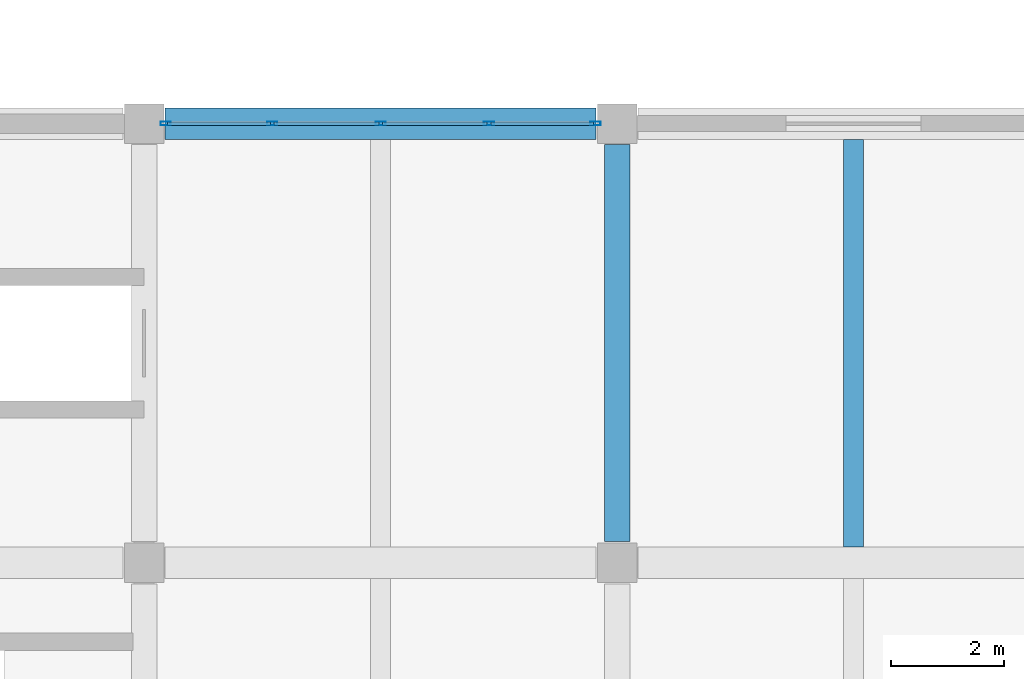
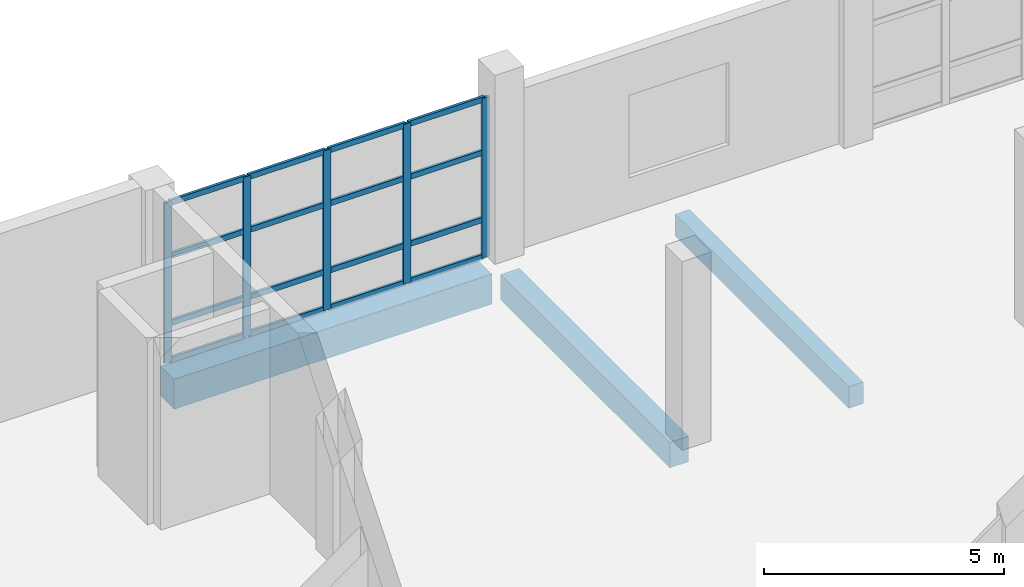
# One storey, part 23 of 91: 21 members, 3 beams, 1 element without a shape of its own.
"""IFC4 building model written with IfcOpenShell, lengths in metres."""

from ifc_helpers import new_model, si_unit, direction, frame, origin, origin_2d, place, context, subcontext, project, spatial, rectangle, hollow_rectangle, extrude, material, material_profile, profile_set, type_object, element, aggregate, save


model = new_model("IFC4")

# Units and contexts
model_context = context("Model", 3, precision=1e-05, world=origin(), true_north=direction((0.0, 1.0)))
body_context = subcontext(model_context, "Body", "Model", "MODEL_VIEW")
ifc_project = project(units=[si_unit("LENGTHUNIT", "METRE"), si_unit("AREAUNIT", "SQUARE_METRE"), si_unit("VOLUMEUNIT", "CUBIC_METRE"), si_unit("PLANEANGLEUNIT", "RADIAN"), si_unit("MASSUNIT", "GRAM", prefix="KILO")], contexts=[model_context])

# Site, building, storey
site_placement = place(None, origin())
site = spatial("IfcSite", under=ifc_project, at=site_placement, CompositionType="ELEMENT")
building_placement = place(site_placement, origin())
building = spatial("IfcBuilding", under=site, at=building_placement, Name="Pellamere Symphony Hall", CompositionType="ELEMENT")
storey_placement = place(building_placement, frame((0.0, 0.0, 5.39990234375)))
storey = spatial("IfcBuildingStorey", under=building, at=storey_placement, Name="L01", CompositionType="ELEMENT", Elevation=5.39990234375)

# Curtain wall, members
ifc_material_1 = material(Name="Thermally Broken Anodised Aluminium 6063-T6 Curtain Wall", Category="aluminium")
curtain_wall_type = type_object("IfcCurtainWallType", Name="Curtain Wall CW-04 (Chamber Music Lobby Curtain Wall)", PredefinedType="NOTDEFINED", material=ifc_material_1)
curtain_wall_placement = place(storey_placement, origin())
curtain_wall = element("IfcCurtainWall", 1, at=curtain_wall_placement, inside=storey, type_object=curtain_wall_type, Name="Chamber Garden North Curtain Wall (L01 Bay 1)", PredefinedType="NOTDEFINED")
ifc_material_2 = material(Name="Anodised Architectural Aluminium 6063-T6", Category="aluminium")
ifc_material_profile_1 = material_profile(ifc_material_2, hollow_rectangle(XDim=0.06494140625, YDim=0.179931640625, WallThickness=0.00390625, at=origin_2d()), Name="ALU-M65X180X4")
ifc_profile_set_1 = profile_set([ifc_material_profile_1], Name="Anodised Architectural Aluminium 6063-T6")
member_type_1 = type_object("IfcMemberType", Name="Curtain Wall Mullion ML-02 ALU-M65X180X4", PredefinedType="MULLION", material=ifc_profile_set_1)
member_1_placement = place(storey_placement, frame((8.782470703125, 54.0, 0.0), z_axis=(0.0, 0.0, 1.0), x_axis=(0.0, 1.0, 0.0)))
member_1 = element("IfcMember", 2, at=member_1_placement, type_object=member_type_1, Name="CW4N-119 crystal mullion 1", PredefinedType="MULLION", context=body_context, shape_type="SweptSolid", body=[
    extrude(hollow_rectangle(XDim=0.06494140625, YDim=0.179931640625, WallThickness=0.00390625, at=origin_2d()), origin(), (0.0, 0.0, 1.0), 4.064208984375),
])
member_2_placement = place(storey_placement, frame((10.675048828125, 54.0, 0.0), z_axis=(0.0, 0.0, 1.0), x_axis=(0.0, 1.0, 0.0)))
member_2 = element("IfcMember", 3, at=member_2_placement, type_object=member_type_1, Name="CW4N-119 crystal mullion 2", PredefinedType="MULLION", context=body_context, shape_type="SweptSolid", body=[
    extrude(hollow_rectangle(XDim=0.06494140625, YDim=0.179931640625, WallThickness=0.00390625, at=origin_2d()), origin(), (0.0, 0.0, 1.0), 4.064208984375),
])
member_3_placement = place(storey_placement, frame((12.60009765625, 54.0, 0.0), z_axis=(0.0, 0.0, 1.0), x_axis=(0.0, 1.0, 0.0)))
member_3 = element("IfcMember", 4, at=member_3_placement, type_object=member_type_1, Name="CW4N-119 crystal mullion 3", PredefinedType="MULLION", context=body_context, shape_type="SweptSolid", body=[
    extrude(hollow_rectangle(XDim=0.06494140625, YDim=0.179931640625, WallThickness=0.00390625, at=origin_2d()), origin(), (0.0, 0.0, 1.0), 4.064208984375),
])
member_4_placement = place(storey_placement, frame((14.52490234375, 54.0, 0.0), z_axis=(0.0, 0.0, 1.0), x_axis=(0.0, 1.0, 0.0)))
member_4 = element("IfcMember", 5, at=member_4_placement, type_object=member_type_1, Name="CW4N-119 crystal mullion 4", PredefinedType="MULLION", context=body_context, shape_type="SweptSolid", body=[
    extrude(hollow_rectangle(XDim=0.06494140625, YDim=0.179931640625, WallThickness=0.00390625, at=origin_2d()), origin(), (0.0, 0.0, 1.0), 4.064208984375),
])
member_5_placement = place(storey_placement, frame((16.41748046875, 54.0, 0.0), z_axis=(0.0, 0.0, 1.0), x_axis=(0.0, 1.0, 0.0)))
member_5 = element("IfcMember", 6, at=member_5_placement, type_object=member_type_1, Name="CW4N-119 crystal mullion 5", PredefinedType="MULLION", context=body_context, shape_type="SweptSolid", body=[
    extrude(hollow_rectangle(XDim=0.06494140625, YDim=0.179931640625, WallThickness=0.00390625, at=origin_2d()), origin(), (0.0, 0.0, 1.0), 4.064208984375),
])
ifc_material_profile_2 = material_profile(ifc_material_2, hollow_rectangle(XDim=0.06494140625, YDim=0.139892578125, WallThickness=0.00390625, at=origin_2d()), Name="ALU-T65X140X4")
ifc_profile_set_2 = profile_set([ifc_material_profile_2], Name="Anodised Architectural Aluminium 6063-T6")
member_type_2 = type_object("IfcMemberType", Name="Curtain Wall Transom TR-02 ALU-T65X140X4", PredefinedType="USERDEFINED", material=ifc_profile_set_2)
member_6_placement = place(storey_placement, frame((8.81494140625, 54.0, 0.03271484375), z_axis=(1.0, 0.0, 0.0), x_axis=(0.0, 1.0, 0.0)))
member_6 = element("IfcMember", 7, at=member_6_placement, type_object=member_type_2, Name="CW4N-119 crystal transom 1.1", ObjectType="TRANSOM", PredefinedType="USERDEFINED", context=body_context, shape_type="SweptSolid", body=[
    extrude(hollow_rectangle(XDim=0.06494140625, YDim=0.139892578125, WallThickness=0.00390625, at=origin_2d()), origin(), (0.0, 0.0, 1.0), 1.82763671875),
])
member_7_placement = place(storey_placement, frame((8.81494140625, 54.0, 0.975341796875), z_axis=(1.0, 0.0, 0.0), x_axis=(0.0, 1.0, 0.0)))
member_7 = element("IfcMember", 8, at=member_7_placement, type_object=member_type_2, Name="CW4N-119 crystal transom 1.2", ObjectType="TRANSOM", PredefinedType="USERDEFINED", context=body_context, shape_type="SweptSolid", body=[
    extrude(hollow_rectangle(XDim=0.06494140625, YDim=0.139892578125, WallThickness=0.00390625, at=origin_2d()), origin(), (0.0, 0.0, 1.0), 1.82763671875),
])
member_8_placement = place(storey_placement, frame((8.81494140625, 54.0, 2.682373046875), z_axis=(1.0, 0.0, 0.0), x_axis=(0.0, 1.0, 0.0)))
member_8 = element("IfcMember", 9, at=member_8_placement, type_object=member_type_2, Name="CW4N-119 crystal transom 1.3", ObjectType="TRANSOM", PredefinedType="USERDEFINED", context=body_context, shape_type="SweptSolid", body=[
    extrude(hollow_rectangle(XDim=0.06494140625, YDim=0.139892578125, WallThickness=0.00390625, at=origin_2d()), origin(), (0.0, 0.0, 1.0), 1.82763671875),
])
member_9_placement = place(storey_placement, frame((8.81494140625, 54.0, 4.031494140625), z_axis=(1.0, 0.0, 0.0), x_axis=(0.0, 1.0, 0.0)))
member_9 = element("IfcMember", 10, at=member_9_placement, type_object=member_type_2, Name="CW4N-119 crystal transom 1.4", ObjectType="TRANSOM", PredefinedType="USERDEFINED", context=body_context, shape_type="SweptSolid", body=[
    extrude(hollow_rectangle(XDim=0.06494140625, YDim=0.139892578125, WallThickness=0.00390625, at=origin_2d()), origin(), (0.0, 0.0, 1.0), 1.82763671875),
])
member_10_placement = place(storey_placement, frame((10.70751953125, 54.0, 0.03271484375), z_axis=(1.0, 0.0, 0.0), x_axis=(0.0, 1.0, 0.0)))
member_10 = element("IfcMember", 11, at=member_10_placement, type_object=member_type_2, Name="CW4N-119 crystal transom 2.1", ObjectType="TRANSOM", PredefinedType="USERDEFINED", context=body_context, shape_type="SweptSolid", body=[
    extrude(hollow_rectangle(XDim=0.06494140625, YDim=0.139892578125, WallThickness=0.00390625, at=origin_2d()), origin(), (0.0, 0.0, 1.0), 1.85986328125),
])
member_11_placement = place(storey_placement, frame((10.70751953125, 54.0, 0.975341796875), z_axis=(1.0, 0.0, 0.0), x_axis=(0.0, 1.0, 0.0)))
member_11 = element("IfcMember", 12, at=member_11_placement, type_object=member_type_2, Name="CW4N-119 crystal transom 2.2", ObjectType="TRANSOM", PredefinedType="USERDEFINED", context=body_context, shape_type="SweptSolid", body=[
    extrude(hollow_rectangle(XDim=0.06494140625, YDim=0.139892578125, WallThickness=0.00390625, at=origin_2d()), origin(), (0.0, 0.0, 1.0), 1.85986328125),
])
member_12_placement = place(storey_placement, frame((10.70751953125, 54.0, 2.682373046875), z_axis=(1.0, 0.0, 0.0), x_axis=(0.0, 1.0, 0.0)))
member_12 = element("IfcMember", 13, at=member_12_placement, type_object=member_type_2, Name="CW4N-119 crystal transom 2.3", ObjectType="TRANSOM", PredefinedType="USERDEFINED", context=body_context, shape_type="SweptSolid", body=[
    extrude(hollow_rectangle(XDim=0.06494140625, YDim=0.139892578125, WallThickness=0.00390625, at=origin_2d()), origin(), (0.0, 0.0, 1.0), 1.85986328125),
])
member_13_placement = place(storey_placement, frame((10.70751953125, 54.0, 4.031494140625), z_axis=(1.0, 0.0, 0.0), x_axis=(0.0, 1.0, 0.0)))
member_13 = element("IfcMember", 14, at=member_13_placement, type_object=member_type_2, Name="CW4N-119 crystal transom 2.4", ObjectType="TRANSOM", PredefinedType="USERDEFINED", context=body_context, shape_type="SweptSolid", body=[
    extrude(hollow_rectangle(XDim=0.06494140625, YDim=0.139892578125, WallThickness=0.00390625, at=origin_2d()), origin(), (0.0, 0.0, 1.0), 1.85986328125),
])
member_14_placement = place(storey_placement, frame((12.632568359375, 54.0, 0.03271484375), z_axis=(1.0, 0.0, 0.0), x_axis=(0.0, 1.0, 0.0)))
member_14 = element("IfcMember", 15, at=member_14_placement, type_object=member_type_2, Name="CW4N-119 crystal transom 3.1", ObjectType="TRANSOM", PredefinedType="USERDEFINED", context=body_context, shape_type="SweptSolid", body=[
    extrude(hollow_rectangle(XDim=0.06494140625, YDim=0.139892578125, WallThickness=0.00390625, at=origin_2d()), origin(), (0.0, 0.0, 1.0), 1.85986328125),
])
member_15_placement = place(storey_placement, frame((12.632568359375, 54.0, 0.975341796875), z_axis=(1.0, 0.0, 0.0), x_axis=(0.0, 1.0, 0.0)))
member_15 = element("IfcMember", 16, at=member_15_placement, type_object=member_type_2, Name="CW4N-119 crystal transom 3.2", ObjectType="TRANSOM", PredefinedType="USERDEFINED", context=body_context, shape_type="SweptSolid", body=[
    extrude(hollow_rectangle(XDim=0.06494140625, YDim=0.139892578125, WallThickness=0.00390625, at=origin_2d()), origin(), (0.0, 0.0, 1.0), 1.85986328125),
])
member_16_placement = place(storey_placement, frame((12.632568359375, 54.0, 2.682373046875), z_axis=(1.0, 0.0, 0.0), x_axis=(0.0, 1.0, 0.0)))
member_16 = element("IfcMember", 17, at=member_16_placement, type_object=member_type_2, Name="CW4N-119 crystal transom 3.3", ObjectType="TRANSOM", PredefinedType="USERDEFINED", context=body_context, shape_type="SweptSolid", body=[
    extrude(hollow_rectangle(XDim=0.06494140625, YDim=0.139892578125, WallThickness=0.00390625, at=origin_2d()), origin(), (0.0, 0.0, 1.0), 1.85986328125),
])
member_17_placement = place(storey_placement, frame((12.632568359375, 54.0, 4.031494140625), z_axis=(1.0, 0.0, 0.0), x_axis=(0.0, 1.0, 0.0)))
member_17 = element("IfcMember", 18, at=member_17_placement, type_object=member_type_2, Name="CW4N-119 crystal transom 3.4", ObjectType="TRANSOM", PredefinedType="USERDEFINED", context=body_context, shape_type="SweptSolid", body=[
    extrude(hollow_rectangle(XDim=0.06494140625, YDim=0.139892578125, WallThickness=0.00390625, at=origin_2d()), origin(), (0.0, 0.0, 1.0), 1.85986328125),
])
member_18_placement = place(storey_placement, frame((14.5576171875, 54.0, 0.03271484375), z_axis=(1.0, 0.0, 0.0), x_axis=(0.0, 1.0, 0.0)))
member_18 = element("IfcMember", 19, at=member_18_placement, type_object=member_type_2, Name="CW4N-119 crystal transom 4.1", ObjectType="TRANSOM", PredefinedType="USERDEFINED", context=body_context, shape_type="SweptSolid", body=[
    extrude(hollow_rectangle(XDim=0.06494140625, YDim=0.139892578125, WallThickness=0.00390625, at=origin_2d()), origin(), (0.0, 0.0, 1.0), 1.827392578125),
])
member_19_placement = place(storey_placement, frame((14.5576171875, 54.0, 0.975341796875), z_axis=(1.0, 0.0, 0.0), x_axis=(0.0, 1.0, 0.0)))
member_19 = element("IfcMember", 20, at=member_19_placement, type_object=member_type_2, Name="CW4N-119 crystal transom 4.2", ObjectType="TRANSOM", PredefinedType="USERDEFINED", context=body_context, shape_type="SweptSolid", body=[
    extrude(hollow_rectangle(XDim=0.06494140625, YDim=0.139892578125, WallThickness=0.00390625, at=origin_2d()), origin(), (0.0, 0.0, 1.0), 1.827392578125),
])
member_20_placement = place(storey_placement, frame((14.5576171875, 54.0, 2.682373046875), z_axis=(1.0, 0.0, 0.0), x_axis=(0.0, 1.0, 0.0)))
member_20 = element("IfcMember", 21, at=member_20_placement, type_object=member_type_2, Name="CW4N-119 crystal transom 4.3", ObjectType="TRANSOM", PredefinedType="USERDEFINED", context=body_context, shape_type="SweptSolid", body=[
    extrude(hollow_rectangle(XDim=0.06494140625, YDim=0.139892578125, WallThickness=0.00390625, at=origin_2d()), origin(), (0.0, 0.0, 1.0), 1.827392578125),
])
member_21_placement = place(storey_placement, frame((14.5576171875, 54.0, 4.031494140625), z_axis=(1.0, 0.0, 0.0), x_axis=(0.0, 1.0, 0.0)))
member_21 = element("IfcMember", 22, at=member_21_placement, type_object=member_type_2, Name="CW4N-119 crystal transom 4.4", ObjectType="TRANSOM", PredefinedType="USERDEFINED", context=body_context, shape_type="SweptSolid", body=[
    extrude(hollow_rectangle(XDim=0.06494140625, YDim=0.139892578125, WallThickness=0.00390625, at=origin_2d()), origin(), (0.0, 0.0, 1.0), 1.827392578125),
])
aggregate(curtain_wall, [member_1, member_2, member_3, member_4, member_5, member_6, member_7, member_8, member_9, member_10, member_11, member_12, member_13, member_14, member_15, member_16, member_17, member_18, member_19, member_20, member_21])

# Beams
ifc_material_3 = material(Name="Concrete 40 MPa", Category="concrete")
ifc_material_profile_3 = material_profile(ifc_material_3, rectangle(XDim=0.449951171875, YDim=0.64990234375, at=origin_2d()), Name="RC 450x650")
ifc_profile_set_3 = profile_set([ifc_material_profile_3], Name="Concrete 40 MPa")
beam_type_1 = type_object("IfcBeamType", Name="RC CB-08 450x650", PredefinedType="BEAM", material=ifc_profile_set_3)
beam_1_placement = place(storey_placement, frame((16.800048828125, 46.574951171875, -0.60498046875), z_axis=(0.0, 1.0, 0.0), x_axis=(-1.0, 0.0, 0.0)))
element("IfcBeam", 23, at=beam_1_placement, inside=storey, type_object=beam_type_1, Name="Girder CB-08-Y0729 (L01)", PredefinedType="BEAM", context=body_context, shape_type="SweptSolid", body=[
    extrude(rectangle(XDim=0.449951171875, YDim=0.64990234375, at=origin_2d()), origin(), (0.0, 0.0, 1.0), 7.050048828125),
])
ifc_material_4 = material(Name="Concrete 35 MPa", Category="concrete")
ifc_material_profile_4 = material_profile(ifc_material_4, rectangle(XDim=0.35009765625, YDim=0.550048828125, at=origin_2d()), Name="RC 350x550")
ifc_profile_set_4 = profile_set([ifc_material_profile_4], Name="Concrete 35 MPa")
beam_type_2 = type_object("IfcBeamType", Name="RC CB-10 350x550", PredefinedType="BEAM", material=ifc_profile_set_4)
beam_2_placement = place(storey_placement, frame((21.0, 46.47998046875, -0.56982421875), z_axis=(0.0, 1.0, 0.0), x_axis=(-1.0, 0.0, 0.0)))
element("IfcBeam", 24, at=beam_2_placement, inside=storey, type_object=beam_type_2, Name="Secondary Floor Beam CB-10-M0206 (L01)", PredefinedType="BEAM", context=body_context, shape_type="SweptSolid", body=[
    extrude(rectangle(XDim=0.35009765625, YDim=0.550048828125, at=origin_2d()), origin(), (0.0, 0.0, 1.0), 7.239990234375),
])
ifc_material_profile_5 = material_profile(ifc_material_3, rectangle(XDim=0.56005859375, YDim=0.760009765625, at=origin_2d()), Name="RC 560x760")
ifc_profile_set_5 = profile_set([ifc_material_profile_5], Name="Concrete 40 MPa")
beam_type_3 = type_object("IfcBeamType", Name="RC CB-18 560x760", PredefinedType="BEAM", material=ifc_profile_set_5)
beam_3_placement = place(storey_placement, frame((8.77490234375, 54.0, -0.659912109375), z_axis=(1.0, 0.0, 0.0), x_axis=(0.0, 1.0, 0.0)))
element("IfcBeam", 25, at=beam_3_placement, inside=storey, type_object=beam_type_3, Name="Girder CB-18-X0636 (L01)", PredefinedType="BEAM", context=body_context, shape_type="SweptSolid", body=[
    extrude(rectangle(XDim=0.56005859375, YDim=0.760009765625, at=origin_2d()), origin(), (0.0, 0.0, 1.0), 7.650146484375),
])

save(model, "model.ifc")
